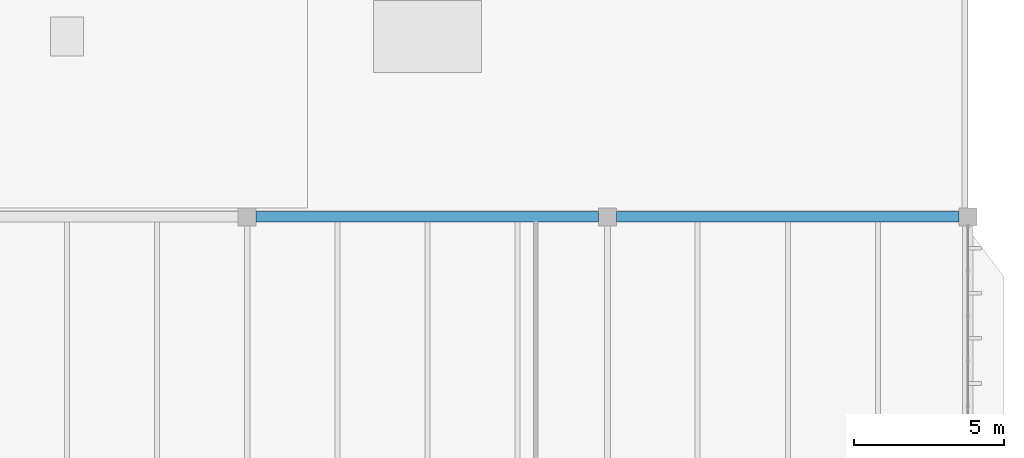
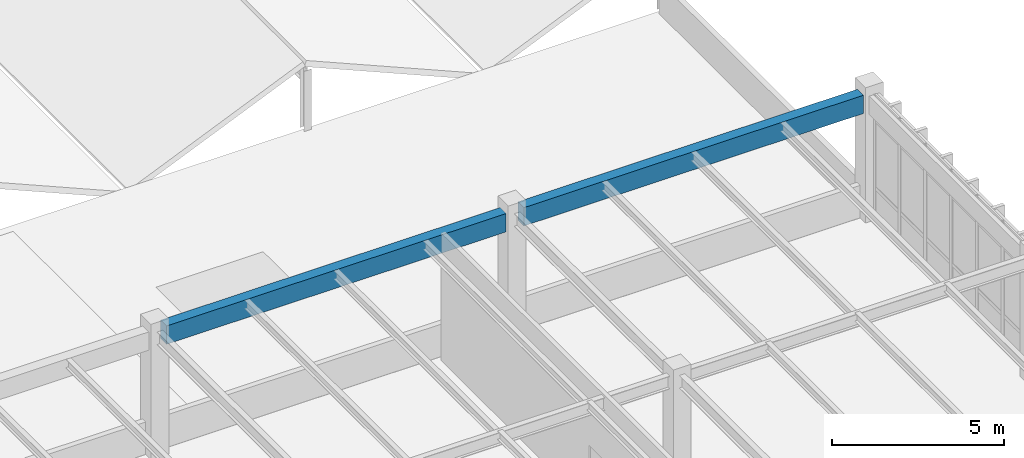
# One storey, part 183 of 236: 2 beams.
"""IFC4 building model written with IfcOpenShell, lengths in metres."""

from ifc_helpers import new_model, si_unit, direction, frame, origin, origin_2d, place, context, subcontext, project, spatial, rectangle, extrude, material, material_profile, profile_set, type_object, element, save


model = new_model("IFC4")

# Units and contexts
model_context = context("Model", 3, precision=1e-05, world=origin(), true_north=direction((0.0, 1.0)))
body_context = subcontext(model_context, "Body", "Model", "MODEL_VIEW")
ifc_project = project(units=[si_unit("LENGTHUNIT", "METRE"), si_unit("AREAUNIT", "SQUARE_METRE"), si_unit("VOLUMEUNIT", "CUBIC_METRE"), si_unit("PLANEANGLEUNIT", "RADIAN"), si_unit("MASSUNIT", "GRAM", prefix="KILO")], contexts=[model_context])

# Site, building, storey
site_placement = place(None, origin())
site = spatial("IfcSite", under=ifc_project, at=site_placement, CompositionType="ELEMENT")
building_placement = place(site_placement, origin())
building = spatial("IfcBuilding", under=site, at=building_placement, Name="Pandanus Reach Market Hall", CompositionType="ELEMENT")
storey_placement = place(building_placement, frame((0.0, 0.0, 5.39990234375)))
storey = spatial("IfcBuildingStorey", under=building, at=storey_placement, Name="L01", CompositionType="ELEMENT", Elevation=5.39990234375)

# Beams
ifc_material = material(Name="Concrete N40 (40 MPa)", Category="concrete")
ifc_material_profile = material_profile(ifc_material, rectangle(XDim=0.35009765625, YDim=0.64990234375, at=origin_2d()), Name="RC350x650", Category="LoadBearing")
ifc_profile_set = profile_set([ifc_material_profile], Name="Concrete N40 (40 MPa)")
beam_type = type_object("IfcBeamType", Name="BM-RC350-E", PredefinedType="SPANDREL", material=ifc_profile_set)
for number, where, z_axis, x_axis, name in (
    (1, (156.298095703125, 96.0, 4.135009765625), (1.0, 0.0, 0.0), (0.0, 1.0, 0.0), "Framing beam BM-RC350-E L01.334"),
    (2, (168.298095703125, 96.0, 4.135009765625), (1.0, 0.0, 0.0), (0.0, 1.0, 0.0), "Framing beam BM-RC350-E L01.335"),
):
    element("IfcBeam", number, at=place(storey_placement, frame(where, z_axis=z_axis, x_axis=x_axis)), inside=storey, type_object=beam_type, Name=name, PredefinedType="SPANDREL", context=body_context, shape_type="SweptSolid", body=[
        extrude(rectangle(XDim=0.35009765625, YDim=0.64990234375, at=origin_2d()), origin(), (0.0, 0.0, 1.0), 11.40380859375),
    ])

save(model, "model.ifc")
